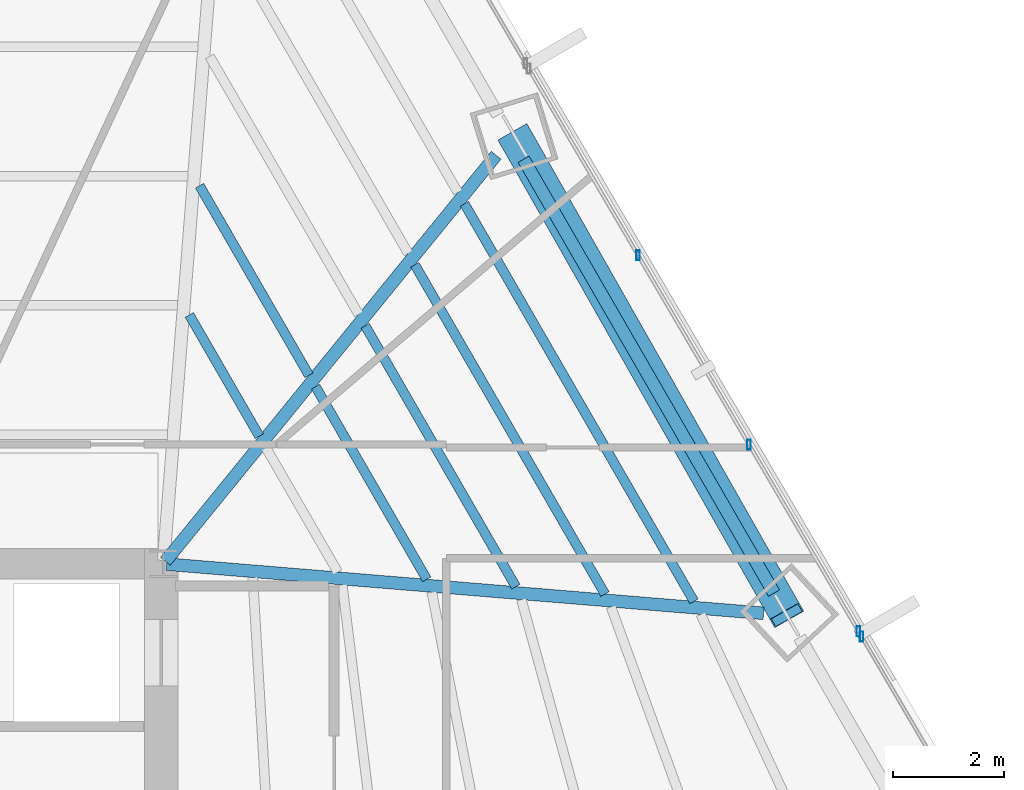
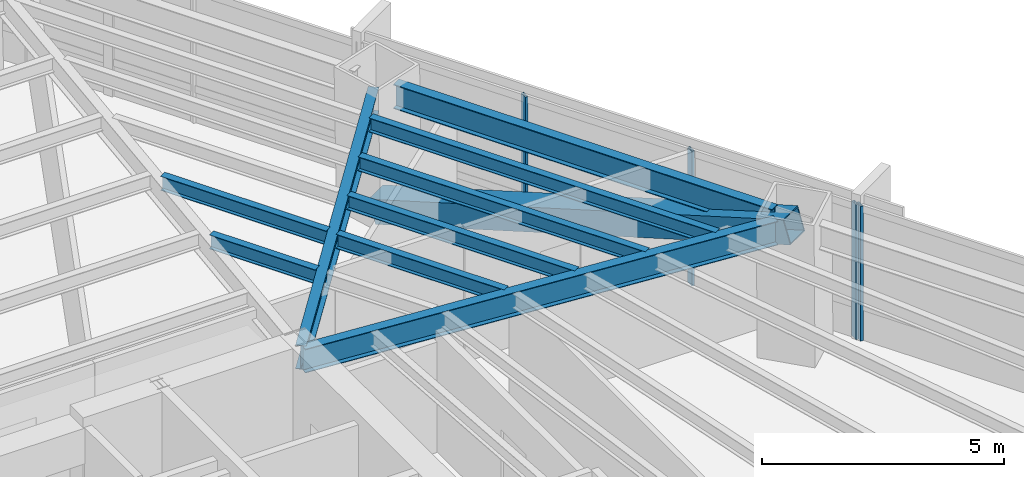
# One storey, part 23 of 37: 9 beams, 5 members, 2 elements without a shape of their own.
"""IFC4 building model written with IfcOpenShell, lengths in metres."""

from ifc_helpers import new_model, si_unit, direction, frame, origin, origin_2d, place, context, subcontext, project, spatial, hollow_rectangle, i_section, extrude, source, transform, mapped, material, material_profile, profile_set, type_object, type_shapes, element, aggregate, save


model = new_model("IFC4")

# Units and contexts
model_context = context("Model", 3, precision=1e-05, world=origin(), true_north=direction((0.0, 1.0)))
body_context = subcontext(model_context, "Body", "Model", "MODEL_VIEW")
ifc_project = project(units=[si_unit("LENGTHUNIT", "METRE"), si_unit("AREAUNIT", "SQUARE_METRE"), si_unit("VOLUMEUNIT", "CUBIC_METRE"), si_unit("PLANEANGLEUNIT", "RADIAN"), si_unit("MASSUNIT", "GRAM", prefix="KILO")], contexts=[model_context])

# Site, building, storey
site_placement = place(None, origin())
site = spatial("IfcSite", under=ifc_project, at=site_placement, CompositionType="ELEMENT")
building_placement = place(site_placement, origin())
building = spatial("IfcBuilding", under=site, at=building_placement, Name="Caelisora Broadcast Tower", CompositionType="ELEMENT")
storey_placement = place(building_placement, frame((0.0, 0.0, 45.85009765625)))
storey = spatial("IfcBuildingStorey", under=building, at=storey_placement, Name="L11", CompositionType="ELEMENT", Elevation=45.85009765625)

# Beams
ifc_material_1 = material(Name="Steel Grade 350 (AS/NZS 3679.1)", Category="steel")
ifc_material_profile_1 = material_profile(ifc_material_1, i_section(OverallWidth=0.22900390625, OverallDepth=0.611572265625, WebThickness=0.011962890625, FlangeThickness=0.01953125, at=origin_2d()), Name="Steel Grade 350 (AS/NZS 3679.1)")
ifc_profile_set_1 = profile_set([ifc_material_profile_1], Name="Steel Grade 350 (AS/NZS 3679.1)")
beam_type_1 = type_object("IfcBeamType", Name="PG03", PredefinedType="BEAM", material=ifc_profile_set_1)
shared_shape_1 = source(origin(), body_context, "Body", "SweptSolid", [
    extrude(i_section(OverallWidth=0.22900390625, OverallDepth=0.611572265625, WebThickness=0.011962890625, FlangeThickness=0.01953125, at=origin_2d()), origin(), (0.0, 0.0, 1.0), 9.031494140625),
])
type_shapes(beam_type_1, [shared_shape_1])
beam_1_placement = place(storey_placement, frame((56.510009765625, 29.472412109375, 3.093994140625), z_axis=(-0.500008706119, 0.866020377246, 0.0), x_axis=(-0.866020377246, -0.500008706119, 0.0)))
element("IfcBeam", 1, at=beam_1_placement, inside=storey, type_object=beam_type_1, Name="L11 beam PG03", PredefinedType="BEAM", context=body_context, shape_type="MappedRepresentation", body=[
    mapped(shared_shape_1, transform((0.0, 0.0, 0.0), scale=1.0)),
])
ifc_material_profile_2 = material_profile(ifc_material_1, i_section(OverallWidth=0.22802734375, OverallDepth=0.602294921875, WebThickness=0.010498046875, FlangeThickness=0.014892578125, at=origin_2d()), Name="Steel Grade 350 (AS/NZS 3679.1)")
ifc_profile_set_2 = profile_set([ifc_material_profile_2], Name="Steel Grade 350 (AS/NZS 3679.1)")
beam_type_2 = type_object("IfcBeamType", Name="PG04", PredefinedType="BEAM", material=ifc_profile_set_2)
shared_shape_2 = source(origin(), body_context, "Body", "SweptSolid", [
    extrude(i_section(OverallWidth=0.22802734375, OverallDepth=0.602294921875, WebThickness=0.010498046875, FlangeThickness=0.014892578125, at=origin_2d()), origin(), (0.0, 0.0, 1.0), 9.4404296875),
])
beam_2_placement = place(storey_placement, frame((45.537841796875, 30.04638671875, 3.098876953125), z_axis=(0.631433451991, 0.775430071449, 0.0), x_axis=(-0.775430071449, 0.631433451991, 0.0)))
element("IfcBeam", 2, at=beam_2_placement, inside=storey, type_object=beam_type_2, Name="L11 beam PG04", PredefinedType="BEAM", context=body_context, shape_type="MappedRepresentation", body=[
    mapped(shared_shape_2, transform((0.0, 0.0, 0.0), scale=1.0)),
])
shared_shape_3 = source(origin(), body_context, "Body", "SweptSolid", [
    extrude(i_section(OverallWidth=0.22802734375, OverallDepth=0.602294921875, WebThickness=0.010498046875, FlangeThickness=0.014892578125, at=origin_2d()), origin(), (0.0, 0.0, 1.0), 10.7978515625),
])
type_shapes(beam_type_2, [shared_shape_2, shared_shape_3])
beam_3_placement = place(storey_placement, frame((45.559814453125, 29.9951171875, 3.098876953125), z_axis=(0.996622513387, -0.082119217056, 0.0), x_axis=(0.082119217056, 0.996622513387, 0.0)))
element("IfcBeam", 3, at=beam_3_placement, inside=storey, type_object=beam_type_2, Name="L11 beam PG04", PredefinedType="BEAM", context=body_context, shape_type="MappedRepresentation", body=[
    mapped(shared_shape_3, transform((0.0, 0.0, 0.0), scale=1.0)),
])
ifc_material_profile_3 = material_profile(ifc_material_1, i_section(OverallWidth=0.172119140625, OverallDepth=0.358642578125, WebThickness=0.008056640625, FlangeThickness=0.012939453125, at=origin_2d()), Name="Steel Grade 350 (AS/NZS 3679.1)")
ifc_profile_set_3 = profile_set([ifc_material_profile_3], Name="Steel Grade 350 (AS/NZS 3679.1)")
beam_type_3 = type_object("IfcBeamType", Name="SB02", PredefinedType="JOIST", material=ifc_profile_set_3)
shared_shape_4 = source(origin(), body_context, "Body", "SweptSolid", [
    extrude(i_section(OverallWidth=0.172119140625, OverallDepth=0.358642578125, WebThickness=0.008056640625, FlangeThickness=0.012939453125, at=origin_2d()), origin(), (0.0, 0.0, 1.0), 2.526123046875),
])
beam_4_placement = place(storey_placement, frame((47.230224609375, 32.30078125, 3.220703125), z_axis=(-0.499953916003, 0.866052008758, 0.0), x_axis=(-0.866052008758, -0.499953916003, 0.0)))
element("IfcBeam", 4, at=beam_4_placement, inside=storey, type_object=beam_type_3, Name="L11 beam SB02", PredefinedType="JOIST", context=body_context, shape_type="MappedRepresentation", body=[
    mapped(shared_shape_4, transform((0.0, 0.0, 0.0), scale=1.0)),
])
shared_shape_5 = source(origin(), body_context, "Body", "SweptSolid", [
    extrude(i_section(OverallWidth=0.172119140625, OverallDepth=0.358642578125, WebThickness=0.008056640625, FlangeThickness=0.012939453125, at=origin_2d()), origin(), (0.0, 0.0, 1.0), 3.947509765625),
])
beam_5_placement = place(storey_placement, frame((48.125, 33.39990234375, 3.220703125), z_axis=(-0.499970507103, 0.866042430847, 0.0), x_axis=(-0.866042430847, -0.499970507103, 0.0)))
element("IfcBeam", 5, at=beam_5_placement, inside=storey, type_object=beam_type_3, Name="L11 beam SB02", PredefinedType="JOIST", context=body_context, shape_type="MappedRepresentation", body=[
    mapped(shared_shape_5, transform((0.0, 0.0, 0.0), scale=1.0)),
])
shared_shape_6 = source(origin(), body_context, "Body", "SweptSolid", [
    extrude(i_section(OverallWidth=0.172119140625, OverallDepth=0.358642578125, WebThickness=0.008056640625, FlangeThickness=0.012939453125, at=origin_2d()), origin(), (0.0, 0.0, 1.0), 4.01025390625),
])
beam_6_placement = place(storey_placement, frame((50.249267578125, 29.720703125, 3.220703125), z_axis=(-0.500008785931, 0.866020331166, 0.0), x_axis=(-0.866020331166, -0.500008785931, 0.0)))
element("IfcBeam", 6, at=beam_6_placement, inside=storey, type_object=beam_type_3, Name="L11 beam SB02", PredefinedType="JOIST", context=body_context, shape_type="MappedRepresentation", body=[
    mapped(shared_shape_6, transform((0.0, 0.0, 0.0), scale=1.0)),
])
shared_shape_7 = source(origin(), body_context, "Body", "SweptSolid", [
    extrude(i_section(OverallWidth=0.172119140625, OverallDepth=0.358642578125, WebThickness=0.008056640625, FlangeThickness=0.012939453125, at=origin_2d()), origin(), (0.0, 0.0, 1.0), 5.431884765625),
])
beam_7_placement = place(storey_placement, frame((51.85498046875, 29.58837890625, 3.220703125), z_axis=(-0.5000207315, 0.866013434116, 0.0), x_axis=(-0.866013434116, -0.5000207315, 0.0)))
element("IfcBeam", 7, at=beam_7_placement, inside=storey, type_object=beam_type_3, Name="L11 beam SB02", PredefinedType="JOIST", context=body_context, shape_type="MappedRepresentation", body=[
    mapped(shared_shape_7, transform((0.0, 0.0, 0.0), scale=1.0)),
])
shared_shape_8 = source(origin(), body_context, "Body", "SweptSolid", [
    extrude(i_section(OverallWidth=0.172119140625, OverallDepth=0.358642578125, WebThickness=0.008056640625, FlangeThickness=0.012939453125, at=origin_2d()), origin(), (0.0, 0.0, 1.0), 6.853515625),
])
beam_8_placement = place(storey_placement, frame((53.460693359375, 29.4560546875, 3.220703125), z_axis=(-0.500001004715, 0.866024823711, 0.0), x_axis=(-0.866024823711, -0.500001004715, 0.0)))
element("IfcBeam", 8, at=beam_8_placement, inside=storey, type_object=beam_type_3, Name="L11 beam SB02", PredefinedType="JOIST", context=body_context, shape_type="MappedRepresentation", body=[
    mapped(shared_shape_8, transform((0.0, 0.0, 0.0), scale=1.0)),
])
shared_shape_9 = source(origin(), body_context, "Body", "SweptSolid", [
    extrude(i_section(OverallWidth=0.172119140625, OverallDepth=0.358642578125, WebThickness=0.008056640625, FlangeThickness=0.012939453125, at=origin_2d()), origin(), (0.0, 0.0, 1.0), 8.275146484375),
])
type_shapes(beam_type_3, [shared_shape_4, shared_shape_5, shared_shape_6, shared_shape_7, shared_shape_8, shared_shape_9])
beam_9_placement = place(storey_placement, frame((55.06640625, 29.32373046875, 3.220703125), z_axis=(-0.500010182751, 0.866019524691, 0.0), x_axis=(-0.866019524691, -0.500010182751, 0.0)))
element("IfcBeam", 9, at=beam_9_placement, inside=storey, type_object=beam_type_3, Name="L11 beam SB02", PredefinedType="JOIST", context=body_context, shape_type="MappedRepresentation", body=[
    mapped(shared_shape_9, transform((0.0, 0.0, 0.0), scale=1.0)),
])

# Member
ifc_material_2 = material(Name="Steel Grade 450 L15 (AS/NZS 3678)", Category="steel")
ifc_material_profile_4 = material_profile(ifc_material_2, hollow_rectangle(XDim=0.60009765625, YDim=0.60009765625, WallThickness=0.02490234375, at=origin_2d()), Name="Steel Grade 450 L15 (AS/NZS 3678)")
ifc_profile_set_4 = profile_set([ifc_material_profile_4], Name="Steel Grade 450 L15 (AS/NZS 3678)")
member_type_1 = type_object("IfcMemberType", Name="BR01", PredefinedType="BRACE", material=ifc_profile_set_4)
shared_shape_10 = source(origin(), body_context, "Body", "SweptSolid", [
    extrude(hollow_rectangle(XDim=0.60009765625, YDim=0.60009765625, WallThickness=0.02490234375, at=origin_2d()), origin(), (0.0, 0.0, 1.0), 10.37841796875),
])
type_shapes(member_type_1, [shared_shape_10])
member_1_placement = place(storey_placement, frame((56.739990234375, 29.073974609375, 3.099853515625), z_axis=(-0.472618831894, 0.832511097543, -0.28906177922), x_axis=(-0.869635447971, -0.493694427386, 0.0)))
element("IfcMember", 10, at=member_1_placement, inside=storey, type_object=member_type_1, Name="L11 perimeter brace BR01", PredefinedType="BRACE", context=body_context, shape_type="MappedRepresentation", body=[
    mapped(shared_shape_10, transform((0.0, 0.0, 0.0), scale=1.0)),
])

# Curtain wall, members
ifc_material_3 = material(Name="Unitised Aluminium Insulated Shadow-Box Spandrel Curtain Wall", Category="aluminium")
curtain_wall_type_1 = type_object("IfcCurtainWallType", Name="CW-SP1", PredefinedType="NOTDEFINED", material=ifc_material_3)
curtain_wall_1_placement = place(storey_placement, origin())
curtain_wall_1 = element("IfcCurtainWall", 11, at=curtain_wall_1_placement, inside=storey, type_object=curtain_wall_type_1, Name="L11 curtain wall CW-SP1", PredefinedType="NOTDEFINED")
ifc_material_4 = material(Name="Aluminium 6063-T6 Anodised Terracotta Bronze", Category="aluminium")
ifc_material_profile_5 = material_profile(ifc_material_4, hollow_rectangle(XDim=0.06494140625, YDim=0.179931640625, WallThickness=0.00341796875, at=origin_2d()), Name="Aluminium 6063-T6 Anodised Terracotta Bronze")
ifc_profile_set_5 = profile_set([ifc_material_profile_5], Name="Aluminium 6063-T6 Anodised Terracotta Bronze")
member_type_2 = type_object("IfcMemberType", Name="CWM-02", PredefinedType="MULLION", material=ifc_profile_set_5)
shared_shape_11 = source(origin(), body_context, "Body", "SweptSolid", [
    extrude(hollow_rectangle(XDim=0.06494140625, YDim=0.179931640625, WallThickness=0.00341796875, at=origin_2d()), origin(), (0.0, 0.0, 1.0), 3.39990234375),
])
type_shapes(member_type_2, [shared_shape_11])
member_2_placement = place(storey_placement, frame((54.060302734375, 35.561279296875, 0.0), z_axis=(0.0, 0.0, 1.0), x_axis=(1.0, 0.0, 0.0)))
member_2 = element("IfcMember", 12, at=member_2_placement, type_object=member_type_2, Name="L11-CW-B02 mullion #1", PredefinedType="MULLION", context=body_context, shape_type="MappedRepresentation", body=[
    mapped(shared_shape_11, transform((0.0, 0.0, 0.0), scale=1.0)),
])
member_3_placement = place(storey_placement, frame((56.0595703125, 32.151123046875, 0.0), z_axis=(0.0, 0.0, 1.0), x_axis=(1.0, 0.0, 0.0)))
member_3 = element("IfcMember", 13, at=member_3_placement, type_object=member_type_2, Name="L11-CW-B02 mullion #2", PredefinedType="MULLION", context=body_context, shape_type="MappedRepresentation", body=[
    mapped(shared_shape_11, transform((0.0, 0.0, 0.0), scale=1.0)),
])
member_4_placement = place(storey_placement, frame((58.033203125, 28.7841796875, 0.0), z_axis=(0.0, 0.0, 1.0), x_axis=(1.0, 0.0, 0.0)))
member_4 = element("IfcMember", 14, at=member_4_placement, type_object=member_type_2, Name="L11-CW-B02 mullion #3", PredefinedType="MULLION", context=body_context, shape_type="MappedRepresentation", body=[
    mapped(shared_shape_11, transform((0.0, 0.0, 0.0), scale=1.0)),
])
aggregate(curtain_wall_1, [member_2, member_3, member_4])

# Curtain wall, member
ifc_material_5 = material(Name="Unitised Aluminium and Low-E Glass Curtain Wall", Category="glass")
curtain_wall_type_2 = type_object("IfcCurtainWallType", Name="CW-Z1", PredefinedType="NOTDEFINED", material=ifc_material_5)
curtain_wall_2_placement = place(storey_placement, origin())
curtain_wall_2 = element("IfcCurtainWall", 15, at=curtain_wall_2_placement, inside=storey, type_object=curtain_wall_type_2, Name="L11 curtain wall CW-Z1", PredefinedType="NOTDEFINED")
member_5_placement = place(storey_placement, frame((58.0888671875, 28.689208984375, 0.0), z_axis=(0.0, 0.0, 1.0), x_axis=(1.0, 0.0, 0.0)))
member_5 = element("IfcMember", 16, at=member_5_placement, type_object=member_type_2, Name="L11-CW-B03 mullion #0", PredefinedType="MULLION", context=body_context, shape_type="MappedRepresentation", body=[
    mapped(shared_shape_11, transform((0.0, 0.0, 0.0), scale=1.0)),
])
aggregate(curtain_wall_2, [member_5])

save(model, "model.ifc")
